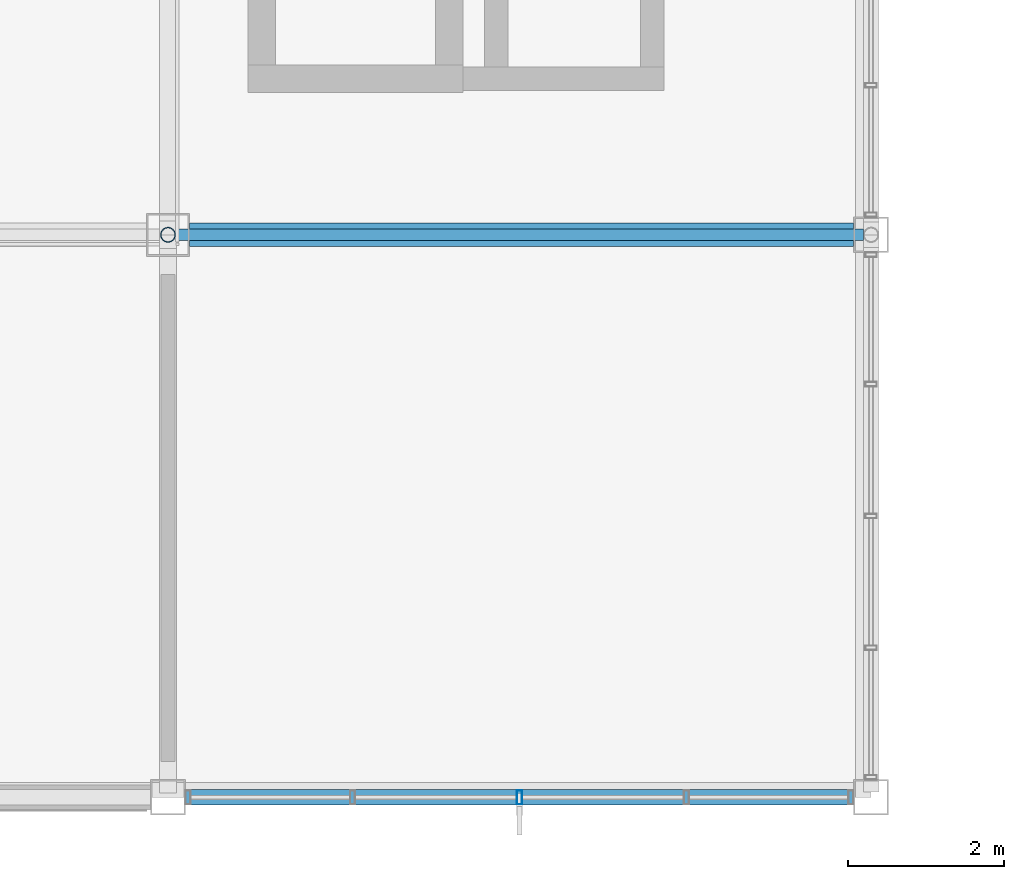
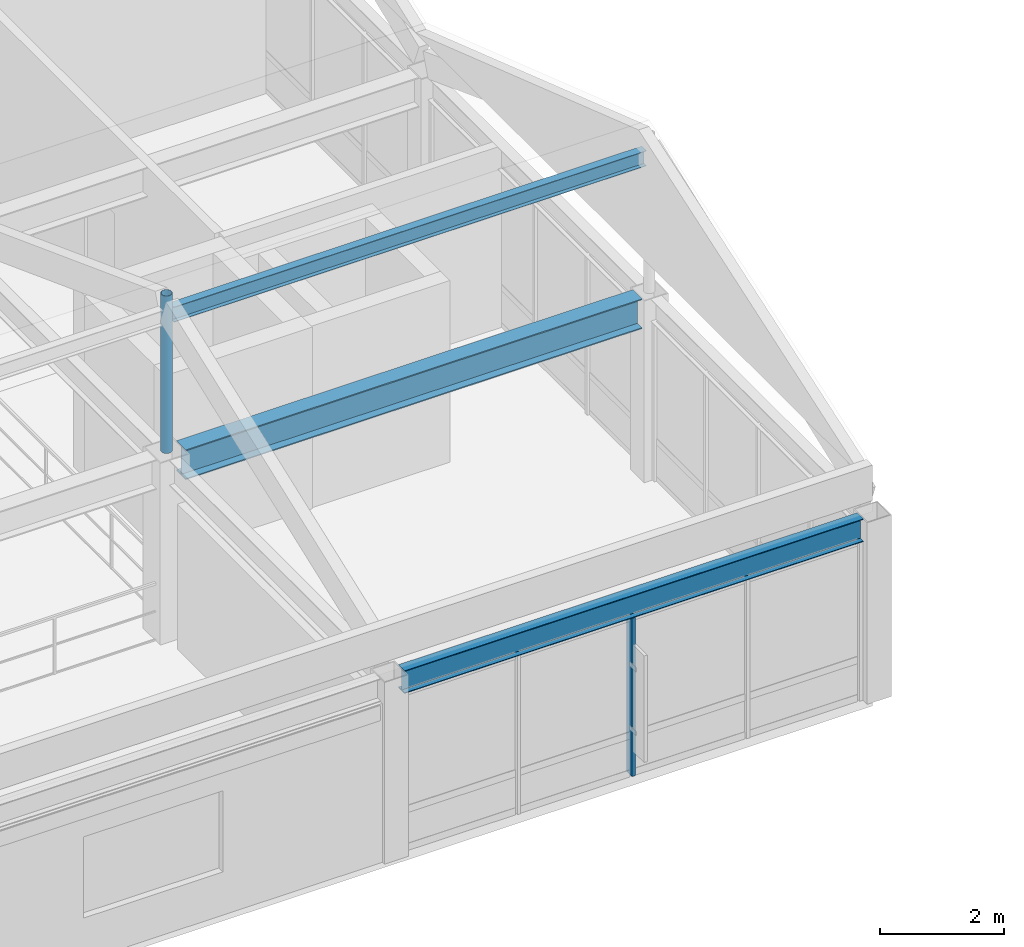
# One storey, part 15 of 113: 3 beams, 2 members, 1 element without a shape of its own.
"""IFC4 building model written with IfcOpenShell, lengths in metres."""

from ifc_helpers import new_model, si_unit, direction, frame, origin, origin_2d, place, context, subcontext, project, spatial, hollow_rectangle, hollow_circle, i_section, extrude, material, material_profile, profile_set, type_object, element, aggregate, save


model = new_model("IFC4")

# Units and contexts
model_context = context("Model", 3, precision=1e-05, world=origin(), true_north=direction((0.0, 1.0)))
body_context = subcontext(model_context, "Body", "Model", "MODEL_VIEW")
ifc_project = project(units=[si_unit("LENGTHUNIT", "METRE"), si_unit("AREAUNIT", "SQUARE_METRE"), si_unit("VOLUMEUNIT", "CUBIC_METRE"), si_unit("PLANEANGLEUNIT", "RADIAN"), si_unit("MASSUNIT", "GRAM", prefix="KILO")], contexts=[model_context])

# Site, building, storey
site_placement = place(None, origin())
site = spatial("IfcSite", under=ifc_project, at=site_placement, CompositionType="ELEMENT")
building_placement = place(site_placement, origin())
building = spatial("IfcBuilding", under=site, at=building_placement, Name="Kazanami Central Library", CompositionType="ELEMENT")
storey_placement = place(building_placement, frame((0.0, 0.0, 8.800048828125)))
storey = spatial("IfcBuildingStorey", under=building, at=storey_placement, Name="L03", CompositionType="ELEMENT", Elevation=8.800048828125)

# Beams
ifc_material_1 = material(Name="Steel SN490B (325 MPa)", Category="steel")
ifc_material_profile_1 = material_profile(ifc_material_1, i_section(OverallWidth=0.14990234375, OverallDepth=0.300048828125, WebThickness=0.006591796875, FlangeThickness=0.009033203125, at=origin_2d()), Name="H-300x150x6.5x9")
ifc_profile_set_1 = profile_set([ifc_material_profile_1], Name="Steel SN490B (325 MPa)")
beam_type_1 = type_object("IfcBeamType", Name="BM-CAN-300", PredefinedType="SPANDREL", material=ifc_profile_set_1)
beam_1_placement = place(storey_placement, frame((27.097900390625, 7.199951171875, 6.260009765625), z_axis=(1.0, 0.0, 0.0), x_axis=(0.0, 1.0, 0.0)))
element("IfcBeam", 1, at=beam_1_placement, inside=storey, type_object=beam_type_1, Name="Folded Shell Ridge Girder FOLD-L03-V3-S Bay 4", PredefinedType="BEAM", context=body_context, shape_type="SweptSolid", body=[
    extrude(i_section(OverallWidth=0.14990234375, OverallDepth=0.300048828125, WebThickness=0.006591796875, FlangeThickness=0.009033203125, at=origin_2d()), origin(), (0.0, 0.0, 1.0), 8.80419921875),
])
ifc_material_profile_2 = material_profile(ifc_material_1, i_section(OverallWidth=0.300048828125, OverallDepth=0.587890625, WebThickness=0.011962890625, FlangeThickness=0.02001953125, at=origin_2d()), Name="H-588x300x12x20")
ifc_profile_set_2 = profile_set([ifc_material_profile_2], Name="Steel SN490B (325 MPa)")
beam_type_2 = type_object("IfcBeamType", Name="BM-G-X2", PredefinedType="BEAM", material=ifc_profile_set_2)
beam_2_placement = place(storey_placement, frame((27.27294921875, 7.199951171875, 3.285888671875), z_axis=(1.0, 0.0, 0.0), x_axis=(0.0, 1.0, 0.0)))
element("IfcBeam", 2, at=beam_2_placement, inside=storey, type_object=beam_type_2, Name="Girder G-X2 L03 B/4-5", PredefinedType="BEAM", context=body_context, shape_type="SweptSolid", body=[
    extrude(i_section(OverallWidth=0.300048828125, OverallDepth=0.587890625, WebThickness=0.011962890625, FlangeThickness=0.02001953125, at=origin_2d()), origin(), (0.0, 0.0, 1.0), 8.504150390625),
])
ifc_material_profile_3 = material_profile(ifc_material_1, i_section(OverallWidth=0.199951171875, OverallDepth=0.449951171875, WebThickness=0.009033203125, FlangeThickness=0.013916015625, at=origin_2d()), Name="H-450x200x9x14")
ifc_profile_set_3 = profile_set([ifc_material_profile_3], Name="Steel SN490B (325 MPa)")
beam_type_3 = type_object("IfcBeamType", Name="BM-SP-2", PredefinedType="SPANDREL", material=ifc_profile_set_3)
beam_3_placement = place(storey_placement, frame((27.222900390625, 0.0, 3.35498046875), z_axis=(1.0, 0.0, 0.0), x_axis=(0.0, 1.0, 0.0)))
element("IfcBeam", 3, at=beam_3_placement, inside=storey, type_object=beam_type_3, Name="Girder SP-2 L03 A/4-5", PredefinedType="SPANDREL", context=body_context, shape_type="SweptSolid", body=[
    extrude(i_section(OverallWidth=0.199951171875, OverallDepth=0.449951171875, WebThickness=0.009033203125, FlangeThickness=0.013916015625, at=origin_2d()), origin(), (0.0, 0.0, 1.0), 8.55419921875),
])

# Curtain wall, member
ifc_material_2 = material(Name="Acid-Etched Low-E Laminated Glass", Category="glass")
curtain_wall_type = type_object("IfcCurtainWallType", Name="CW-8550x3130-M225", PredefinedType="USERDEFINED", material=ifc_material_2)
curtain_wall_placement = place(storey_placement, origin())
curtain_wall = element("IfcCurtainWall", 4, at=curtain_wall_placement, inside=storey, type_object=curtain_wall_type, Name="Unitised Curtain Wall CW-24 L03 S-A-03", ObjectType="UNITISED CURTAIN WALL", PredefinedType="USERDEFINED")
ifc_material_3 = material(Name="Anodised Aluminium A6063-T5", Category="aluminium")
ifc_material_profile_4 = material_profile(ifc_material_3, hollow_rectangle(XDim=0.06494140625, YDim=0.179931640625, WallThickness=0.00390625, at=origin_2d()), Name="ALU-MULL-65x180x4")
ifc_profile_set_4 = profile_set([ifc_material_profile_4], Name="Anodised Aluminium A6063-T5")
member_type_1 = type_object("IfcMemberType", Name="MEM-CW-M2", PredefinedType="MULLION", material=ifc_profile_set_4)
member_1_placement = place(storey_placement, frame((31.5, 0.0, 0.0), z_axis=(0.0, 0.0, 1.0), x_axis=(1.0, 0.0, 0.0)))
member_1 = element("IfcMember", 5, at=member_1_placement, type_object=member_type_1, Name="CW-24 mullion 3", PredefinedType="MULLION", context=body_context, shape_type="SweptSolid", body=[
    extrude(hollow_rectangle(XDim=0.06494140625, YDim=0.179931640625, WallThickness=0.00390625, at=origin_2d()), origin(), (0.0, 0.0, 1.0), 3.1298828125),
])
aggregate(curtain_wall, [member_1])

# Member
ifc_material_4 = material(Name="Steel STK490 (315 MPa)", Category="steel")
ifc_material_profile_5 = material_profile(ifc_material_4, hollow_circle(Radius=0.095458984375, WallThickness=0.007080078125, at=origin_2d()), Name="CHS-190.7x7.0")
ifc_profile_set_5 = profile_set([ifc_material_profile_5], Name="Steel STK490 (315 MPa)")
member_type_2 = type_object("IfcMemberType", Name="MEM-VST-190", PredefinedType="STRUT", material=ifc_profile_set_5)
member_2_placement = place(storey_placement, frame((27.0, 7.199951171875, 3.579833984375), z_axis=(0.0, 0.0, 1.0), x_axis=(1.0, 0.0, 0.0)))
element("IfcMember", 6, at=member_2_placement, inside=storey, type_object=member_type_2, Name="Folded Shell Ridge Strut Post FOLD-L03-V3-S Grid 4", PredefinedType="POST", context=body_context, shape_type="SweptSolid", body=[
    extrude(hollow_circle(Radius=0.095458984375, WallThickness=0.007080078125, at=origin_2d()), origin(), (0.0, 0.0, 1.0), 3.1025390625),
])

save(model, "model.ifc")
